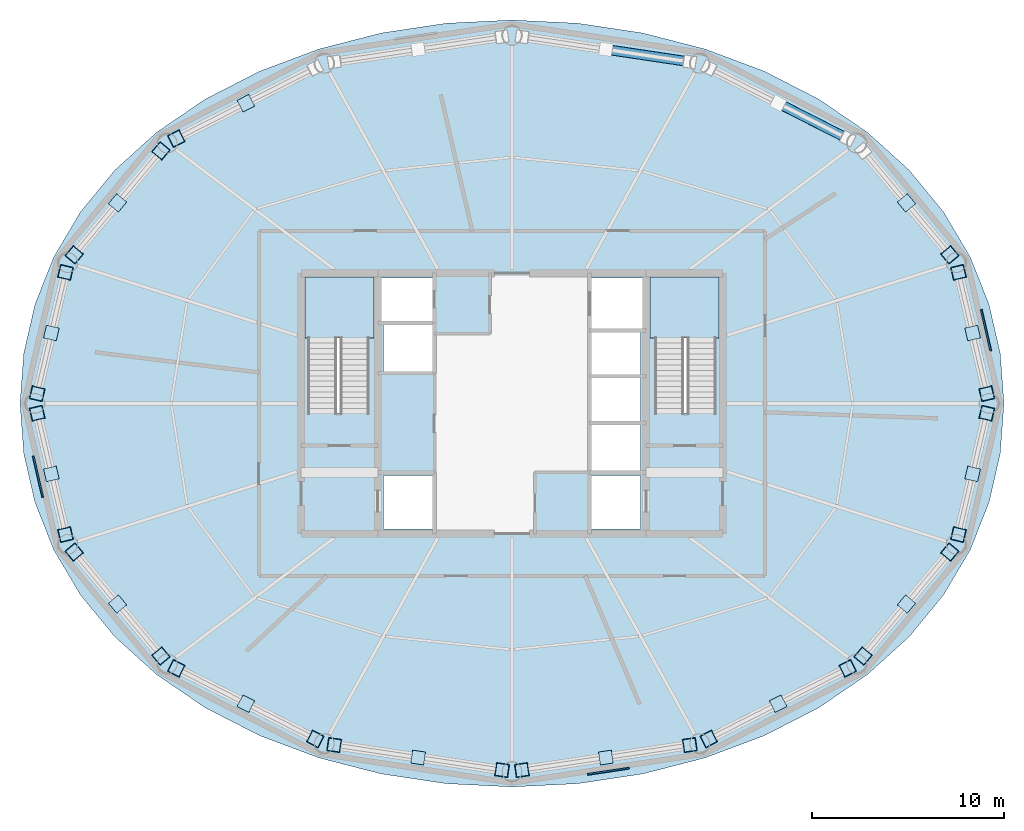
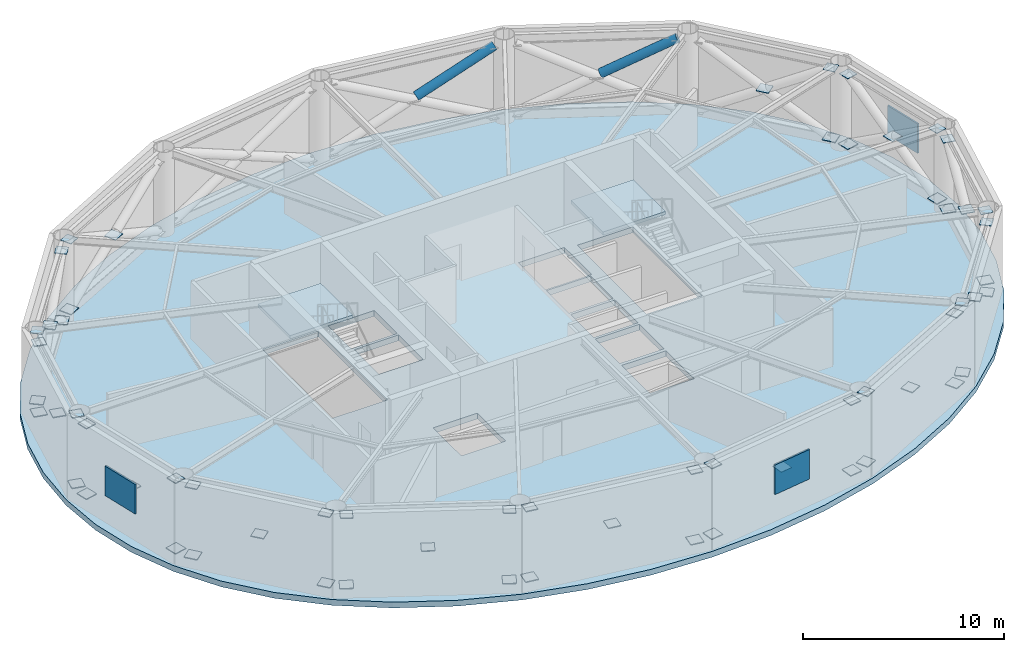
# One storey, part 3 of 7: 64 plates, 3 slabs, 2 members, 2 elements without a shape of their own.
"""IFC4 building model written with IfcOpenShell, lengths in metres."""

import ifcopenshell
import ifcopenshell.guid

model = None  # the IFC model being written
_history = None  # IfcOwnerHistory: only IFC2X3 demands one
_inside = {}  # id of a spatial element -> (the spatial element, [elements in it])
_under = {}  # id of a project, library or spatial element -> (it, [spatial elements below it])
_declared = {}  # id of a project -> (the project, [libraries it declares])
_typed = {}  # id of a type object -> (the type object, [elements of that type])
_made_of = {}  # id of a material, layer set ... -> (it, [elements and type objects made of it])


def new_model(schema):
    """Start an empty IFC model of exactly this schema.

    Asked for "IFC4X3", IfcOpenShell would pick the latest addendum, in which some entities
    have other attributes; the version numbers below select the first issue.
    IFC2X3 requires an IfcOwnerHistory on every rooted entity: one is made here for all.
    """
    global model, _history
    if schema == "IFC4X3":
        model = ifcopenshell.file(schema_version=(4, 3, 0, 0))
    else:
        model = ifcopenshell.file(schema=schema)
    _inside.clear()
    _under.clear()
    _declared.clear()
    _typed.clear()
    _made_of.clear()
    _history = None
    if model.schema == "IFC2X3":
        org = make("IfcOrganization", Name="unknown")
        user = make(
            "IfcPersonAndOrganization",
            ThePerson=make("IfcPerson", FamilyName="unknown"),
            TheOrganization=org,
        )
        app = make(
            "IfcApplication",
            ApplicationDeveloper=org,
            Version="unknown",
            ApplicationFullName="unknown",
            ApplicationIdentifier="unknown",
        )
        _history = make(
            "IfcOwnerHistory",
            OwningUser=user,
            OwningApplication=app,
            ChangeAction="ADDED",
            CreationDate=0,
        )
    return model


def make(cls, **values):
    """One entity of the class cls with the attributes given. An attribute that is None is left unset."""
    return model.create_entity(
        cls, **{name: value for name, value in values.items() if value is not None}
    )


def rooted(cls, **values):
    """An entity with a GlobalId (a new one), such as an element, a storey or a relation."""
    return make(cls, GlobalId=ifcopenshell.guid.new(), OwnerHistory=_history, **values)


def si_unit(unit_type, name, prefix=None):
    """IfcSIUnit, for example si_unit("LENGTHUNIT", "METRE", prefix="MILLI")."""
    return make("IfcSIUnit", UnitType=unit_type, Prefix=prefix, Name=name)


def assignment(units):
    """IfcUnitAssignment: the units of a project."""
    return None if units is None else make("IfcUnitAssignment", Units=units)


def point(xyz):
    """IfcCartesianPoint."""
    return None if xyz is None else make("IfcCartesianPoint", Coordinates=xyz)


def direction(xyz):
    """IfcDirection."""
    return None if xyz is None else make("IfcDirection", DirectionRatios=xyz)


def frame(location, z_axis=None, x_axis=None):
    """IfcAxis2Placement3D, a coordinate frame: its origin and axes. An axis left out is left unset."""
    return make(
        "IfcAxis2Placement3D",
        Location=point(location),
        Axis=direction(z_axis),
        RefDirection=direction(x_axis),
    )


def frame_2d(location, x_axis=None):
    """IfcAxis2Placement2D, a coordinate frame in the plane: its origin and x axis."""
    return make(
        "IfcAxis2Placement2D", Location=point(location), RefDirection=direction(x_axis)
    )


def origin():
    """The frame at (0, 0, 0) with its axes left unset."""
    return frame((0.0, 0.0, 0.0))


def origin_2d():
    """The frame at (0, 0) in the plane with its x axis left unset."""
    return frame_2d((0.0, 0.0))


def place(relative_to, where):
    """IfcLocalPlacement: puts the frame where relative to a parent placement (None: the world)."""
    return make(
        "IfcLocalPlacement", PlacementRelTo=relative_to, RelativePlacement=where
    )


def context(
    kind, dimensions, precision=None, world=None, true_north=None, identifier=None
):
    """IfcGeometricRepresentationContext, for example the 3D "Model" context."""
    return make(
        "IfcGeometricRepresentationContext",
        ContextIdentifier=identifier,
        ContextType=kind,
        CoordinateSpaceDimension=dimensions,
        Precision=precision,
        WorldCoordinateSystem=world,
        TrueNorth=true_north,
    )


def subcontext(parent, identifier, kind, view, scale=None):
    """IfcGeometricRepresentationSubContext, for example "Body" below "Model"."""
    return make(
        "IfcGeometricRepresentationSubContext",
        ContextIdentifier=identifier,
        ContextType=kind,
        ParentContext=parent,
        TargetScale=scale,
        TargetView=view,
    )


def project(units=None, contexts=None):
    """IfcProject with its units and contexts."""
    return rooted(
        "IfcProject",
        Name="project",
        RepresentationContexts=contexts,
        UnitsInContext=assignment(units),
    )


def spatial(cls, under=None, at=None, **own):
    """A site, building, storey or space (cls), placed at a placement, below another one or the project."""
    s = rooted(cls, ObjectPlacement=at, **own)
    if under is not None:
        _under.setdefault(under.id(), (under, []))[1].append(s)
    return s


def polyline(points):
    """IfcPolyline through the points."""
    return make("IfcPolyline", Points=[point(p) for p in points])


def profile(cls, at=None, kind="AREA", **sizes):
    """A parametric profile (cls). Its sizes go by their IFC names, for example OverallWidth=200.0."""
    return make(cls, ProfileType=kind, Position=at, **sizes)


def rectangle(**sizes):
    """IfcRectangleProfileDef."""
    return profile("IfcRectangleProfileDef", **sizes)


def hollow_circle(**sizes):
    """IfcCircleHollowProfileDef."""
    return profile("IfcCircleHollowProfileDef", **sizes)


def outline(outer, holes=None, kind="AREA"):
    """IfcArbitraryClosedProfileDef: a profile drawn as a closed curve; with holes, ...WithVoids."""
    if holes is None:
        return make("IfcArbitraryClosedProfileDef", ProfileType=kind, OuterCurve=outer)
    return make(
        "IfcArbitraryProfileDefWithVoids",
        ProfileType=kind,
        OuterCurve=outer,
        InnerCurves=holes,
    )


def extrude(swept, where, along, depth):
    """IfcExtrudedAreaSolid: the profile swept, set in the frame where, extruded along a direction by depth."""
    return make(
        "IfcExtrudedAreaSolid",
        SweptArea=swept,
        Position=where,
        ExtrudedDirection=direction(along),
        Depth=depth,
    )


def shape(context_of_items, identifier, shape_type, items):
    """IfcShapeRepresentation: the items that make up one representation, for example the "Body"."""
    return make(
        "IfcShapeRepresentation",
        ContextOfItems=context_of_items,
        RepresentationIdentifier=identifier,
        RepresentationType=shape_type,
        Items=items,
    )


def material(Name=None, Category=None):
    """IfcMaterial."""
    return make("IfcMaterial", Name=Name, Category=Category)


def layer(
    of_material, thickness, ventilated=None, Name=None, Category=None, Priority=None
):
    """IfcMaterialLayer: one layer of a wall or slab, of a material (None: an air gap)."""
    return make(
        "IfcMaterialLayer",
        Material=of_material,
        LayerThickness=thickness,
        IsVentilated=ventilated,
        Name=Name,
        Category=Category,
        Priority=Priority,
    )


def layer_set(layers, Name=None):
    """IfcMaterialLayerSet."""
    return make("IfcMaterialLayerSet", MaterialLayers=layers, LayerSetName=Name)


def material_profile(
    of_material, cross_section, Name=None, Category=None, Priority=None
):
    """IfcMaterialProfile: a cross section and its material."""
    return make(
        "IfcMaterialProfile",
        Name=Name,
        Material=of_material,
        Profile=cross_section,
        Priority=Priority,
        Category=Category,
    )


def profile_set(profiles, Name=None, composite=None):
    """IfcMaterialProfileSet."""
    return make(
        "IfcMaterialProfileSet",
        Name=Name,
        MaterialProfiles=profiles,
        CompositeProfile=composite,
    )


def made_of(thing, what):
    """Note that an element or type object is made of a material, layer set ...; save() writes the relation."""
    if what is not None:
        _made_of.setdefault(what.id(), (what, []))[1].append(thing)
    return thing


def type_object(cls, material=None, **own):
    """A type object (cls), such as IfcWallType, which elements share."""
    return made_of(rooted(cls, **own), material)


def element(
    cls,
    number,
    at=None,
    inside=None,
    cuts=None,
    type_object=None,
    material=None,
    context=None,
    identifier="Body",
    shape_type=None,
    held_by="IfcProductDefinitionShape",
    body=None,
    shapes=None,
    **own,
):
    """One element of the class cls, such as IfcWall. Its Tag is "e" and its number.

    at: its placement. inside: the storey or other place that contains it. cuts: it is an
    opening in that element (IfcRelVoidsElement). A single representation is given by context,
    identifier, shape_type and body (its items); several are given by shapes. held_by: the class
    of the entity that holds the representations. save() writes the other relations.
    """
    e = rooted(cls, Tag="e%d" % number, ObjectPlacement=at, **own)
    if body is not None:
        shapes = [shape(context, identifier, shape_type, body)]
    if shapes is not None:
        e.Representation = make(held_by, Representations=shapes)
    if inside is not None:
        _inside.setdefault(inside.id(), (inside, []))[1].append(e)
    if cuts is not None:
        rooted(
            "IfcRelVoidsElement", RelatingBuildingElement=cuts, RelatedOpeningElement=e
        )
    if type_object is not None:
        _typed.setdefault(type_object.id(), (type_object, []))[1].append(e)
    return made_of(e, material)


def aggregate(whole, parts):
    """IfcRelAggregates: a whole, such as a stair, and the parts it consists of."""
    return rooted("IfcRelAggregates", RelatingObject=whole, RelatedObjects=parts)


def save(model, path):
    """Write the relations noted so far, then the file.

    IfcRelAggregates (storeys below a building ...), IfcRelContainedInSpatialStructure (elements
    in a storey), IfcRelDefinesByType, IfcRelAssociatesMaterial and IfcRelDeclares: one each for
    every whole, place, type object, material and project.
    """
    for whole, parts in _under.values():
        aggregate(whole, parts)
    for where, things in _inside.values():
        rooted(
            "IfcRelContainedInSpatialStructure",
            RelatedElements=things,
            RelatingStructure=where,
        )
    for kind, things in _typed.values():
        rooted("IfcRelDefinesByType", RelatedObjects=things, RelatingType=kind)
    for what, things in _made_of.values():
        rooted("IfcRelAssociatesMaterial", RelatedObjects=things, RelatingMaterial=what)
    for by, libraries in _declared.values():
        rooted("IfcRelDeclares", RelatingContext=by, RelatedDefinitions=libraries)
    model.write(path)


model = new_model("IFC4")

# Units and contexts
model_context = context("Model", 3, precision=1e-05, world=origin(), true_north=direction((0.0, 1.0)))
body_context = subcontext(model_context, "Body", "Model", "MODEL_VIEW")
ifc_project = project(units=[si_unit("LENGTHUNIT", "METRE"), si_unit("AREAUNIT", "SQUARE_METRE"), si_unit("VOLUMEUNIT", "CUBIC_METRE"), si_unit("PLANEANGLEUNIT", "RADIAN"), si_unit("MASSUNIT", "GRAM", prefix="KILO")], contexts=[model_context])

# Site, building, storey
site_placement = place(None, origin())
site = spatial("IfcSite", under=ifc_project, at=site_placement, CompositionType="ELEMENT")
building_placement = place(site_placement, origin())
building = spatial("IfcBuilding", under=site, at=building_placement, Name="Sarneth Arch Tower", CompositionType="ELEMENT")
storey_placement = place(building_placement, frame((0.0, 0.0, 256.800048828125)))
storey = spatial("IfcBuildingStorey", under=building, at=storey_placement, Name="L66", CompositionType="ELEMENT", Elevation=256.800048828125)

# Members
ifc_material_1 = material(Name="Steel S355", Category="steel")
ifc_material_profile = material_profile(ifc_material_1, hollow_circle(Radius=0.25390625, WallThickness=0.01611328125, at=origin_2d()), Name="CHS508x16")
ifc_profile_set = profile_set([ifc_material_profile], Name="Steel S355")
member_type = type_object("IfcMemberType", Name="MEM-BELT-DIAG2", PredefinedType="BRACE", material=ifc_profile_set)
member_1_placement = place(storey_placement, frame((62.080322265625, 57.55712890625, 2.596435546875), z_axis=(0.789558727326, -0.401501046923, 0.46410551109), x_axis=(0.453274042271, 0.891371214816, 0.0)))
element("IfcMember", 1, at=member_1_placement, inside=storey, type_object=member_type, Name="L66 Ring belt split diagonal B2-03", PredefinedType="BRACE", context=body_context, shape_type="SweptSolid", body=[
    extrude(hollow_circle(Radius=0.25390625, WallThickness=0.01611328125, at=origin_2d()), origin(), (0.0, 0.0, 1.0), 4.34033203125),
])
member_2_placement = place(storey_placement, frame((53.1181640625, 60.43603515625, 2.5888671875), z_axis=(0.891118872126, -0.133049725794, 0.433825916938), x_axis=(0.147669491046, 0.98903676444, 0.0)))
element("IfcMember", 2, at=member_2_placement, inside=storey, type_object=member_type, Name="L66 Ring belt split diagonal B2-04", PredefinedType="BRACE", context=body_context, shape_type="SweptSolid", body=[
    extrude(hollow_circle(Radius=0.25390625, WallThickness=0.01611328125, at=origin_2d()), origin(), (0.0, 0.0, 1.0), 4.660888671875),
])

# Plates
ifc_material_2 = material(Name="Powder-coated Aluminium 6063-T6 stormproof acoustic louvre", Category="aluminium")
ifc_layer_1 = layer(ifc_material_2, 0.094970703125)
ifc_layer_set_1 = layer_set([ifc_layer_1], Name="Powder-coated Aluminium 6063-T6 stormproof acoustic louvre")
plate_type_1 = type_object("IfcPlateType", Name="LOUVRE-PLANT", PredefinedType="SHEET", material=ifc_layer_set_1)
for number, where, z_axis, x_axis, name in (
    (3, (72.716552734375, 45.818603515625, 1.68505859375), (0.0, 0.0, 1.0), (-0.2256312381, 0.974212781888, 0.0), "L66 Mechanical louvre 01"),
    (4, (23.283447265625, 38.181396484375, 1.68505859375), (0.0, 0.0, 1.0), (0.2256312381, -0.974212781888, 0.0), "L66 Mechanical louvre 09"),
    (5, (53.028564453125, 22.824462890625, 1.68505859375), (0.0, 0.0, 1.0), (0.988886498745, 0.148672433897, 0.0), "L66 Mechanical louvre 13"),
):
    element("IfcPlate", number, at=place(storey_placement, frame(where, z_axis=z_axis, x_axis=x_axis)), inside=storey, type_object=plate_type_1, Name=name, PredefinedType="SHEET", context=body_context, shape_type="SweptSolid", body=[
        extrude(rectangle(XDim=2.199951171875, YDim=0.094970703125, at=origin_2d()), origin(), (0.0, 0.0, 1.0), 1.800048828125),
    ])
ifc_material_3 = material(Name="Steel S355", Category="steel")
ifc_layer_2 = layer(ifc_material_3, 0.035888671875)
ifc_layer_set_2 = layer_set([ifc_layer_2], Name="Steel S355")
plate_type_2 = type_object("IfcPlateType", Name="PLT-GUSSET-30", PredefinedType="SHEET", material=ifc_layer_set_2)
plate_1_placement = place(storey_placement, frame((72.026123046875, 45.673828125, 2.46240234375), z_axis=(0.0, 0.0, 1.0), x_axis=(-0.227161248969, 0.973857159427, 0.0)))
element("IfcPlate", 6, at=plate_1_placement, inside=storey, type_object=plate_type_2, Name="Steel end cap plate GP-1", PredefinedType="SHEET", context=body_context, shape_type="SweptSolid", body=[
    extrude(rectangle(XDim=0.679931640625, YDim=0.679931640625, at=origin_2d()), origin(), (0.0, 0.0, 1.0), 0.035888671875),
])
for number, where, z_axis, x_axis, name in (
    (7, (72.763916015625, 42.51123046875, 0.33203125), (0.0, 0.0, 1.0), (0.227161248969, -0.973857159427, 0.0), "Steel end cap plate GP-1"),
    (8, (71.2880859375, 48.836181640625, 0.33203125), (0.0, 0.0, 1.0), (-0.227161248969, 0.973857159427, 0.0), "Steel end cap plate GP-1"),
):
    element("IfcPlate", number, at=place(storey_placement, frame(where, z_axis=z_axis, x_axis=x_axis)), inside=storey, type_object=plate_type_2, Name=name, PredefinedType="SHEET", context=body_context, shape_type="SweptSolid", body=[
        extrude(rectangle(XDim=0.699951171875, YDim=0.699951171875, at=origin_2d()), origin(), (0.0, 0.0, 1.0), 0.035888671875),
    ])
for number, where, z_axis, x_axis, name in (
    (9, (72.763916015625, 42.51123046875, 4.5927734375), (0.0, 0.0, 1.0), (0.227161248969, -0.973857159427, 0.0), "Steel end cap plate GP-1"),
    (10, (71.2880859375, 48.836181640625, 4.5927734375), (0.0, 0.0, 1.0), (-0.227161248969, 0.973857159427, 0.0), "Steel end cap plate GP-1"),
):
    element("IfcPlate", number, at=place(storey_placement, frame(where, z_axis=z_axis, x_axis=x_axis)), inside=storey, type_object=plate_type_2, Name=name, PredefinedType="SHEET", context=body_context, shape_type="SweptSolid", body=[
        extrude(rectangle(XDim=0.6298828125, YDim=0.6298828125, at=origin_2d()), origin(), (0.0, 0.0, 1.0), 0.035888671875),
    ])
plate_2_placement = place(storey_placement, frame((68.572021484375, 52.4619140625, 2.46240234375), z_axis=(0.0, 0.0, 1.0), x_axis=(-0.640377842023, 0.768060036355, 0.0)))
element("IfcPlate", 11, at=plate_2_placement, inside=storey, type_object=plate_type_2, Name="Steel end cap plate GP-1", PredefinedType="SHEET", context=body_context, shape_type="SweptSolid", body=[
    extrude(rectangle(XDim=0.679931640625, YDim=0.679931640625, at=origin_2d()), origin(), (0.0, 0.0, 1.0), 0.035888671875),
])
plate_3_placement = place(storey_placement, frame((70.83251953125, 49.750732421875, 0.33203125), z_axis=(0.0, 0.0, 1.0), x_axis=(0.640377842023, -0.768060036355, 0.0)))
element("IfcPlate", 12, at=plate_3_placement, inside=storey, type_object=plate_type_2, Name="Steel end cap plate GP-1", PredefinedType="SHEET", context=body_context, shape_type="SweptSolid", body=[
    extrude(rectangle(XDim=0.699951171875, YDim=0.699951171875, at=origin_2d()), origin(), (0.0, 0.0, 1.0), 0.035888671875),
])
plate_4_placement = place(storey_placement, frame((70.83251953125, 49.750732421875, 4.5927734375), z_axis=(0.0, 0.0, 1.0), x_axis=(0.640377842023, -0.768060036355, 0.0)))
element("IfcPlate", 13, at=plate_4_placement, inside=storey, type_object=plate_type_2, Name="Steel end cap plate GP-1", PredefinedType="SHEET", context=body_context, shape_type="SweptSolid", body=[
    extrude(rectangle(XDim=0.6298828125, YDim=0.6298828125, at=origin_2d()), origin(), (0.0, 0.0, 1.0), 0.035888671875),
])
plate_5_placement = place(storey_placement, frame((34.116943359375, 57.657470703125, 2.46240234375), z_axis=(0.0, 0.0, 1.0), x_axis=(-0.891402366318, -0.453212777096, 0.0)))
element("IfcPlate", 14, at=plate_5_placement, inside=storey, type_object=plate_type_2, Name="Steel end cap plate GP-1", PredefinedType="SHEET", context=body_context, shape_type="SweptSolid", body=[
    extrude(rectangle(XDim=0.679931640625, YDim=0.679931640625, at=origin_2d()), origin(), (0.0, 0.0, 1.0), 0.035888671875),
])
plate_6_placement = place(storey_placement, frame((30.49267578125, 55.814453125, 0.33203125), z_axis=(0.0, 0.0, 1.0), x_axis=(-0.891402366318, -0.453212777096, 0.0)))
element("IfcPlate", 15, at=plate_6_placement, inside=storey, type_object=plate_type_2, Name="Steel end cap plate GP-1", PredefinedType="SHEET", context=body_context, shape_type="SweptSolid", body=[
    extrude(rectangle(XDim=0.699951171875, YDim=0.699951171875, at=origin_2d()), origin(), (0.0, 0.0, 1.0), 0.035888671875),
])
plate_7_placement = place(storey_placement, frame((30.49267578125, 55.814453125, 4.5927734375), z_axis=(0.0, 0.0, 1.0), x_axis=(-0.891402366318, -0.453212777096, 0.0)))
element("IfcPlate", 16, at=plate_7_placement, inside=storey, type_object=plate_type_2, Name="Steel end cap plate GP-1", PredefinedType="SHEET", context=body_context, shape_type="SweptSolid", body=[
    extrude(rectangle(XDim=0.6298828125, YDim=0.6298828125, at=origin_2d()), origin(), (0.0, 0.0, 1.0), 0.035888671875),
])
plate_8_placement = place(storey_placement, frame((27.427978515625, 52.4619140625, 2.46240234375), z_axis=(0.0, 0.0, 1.0), x_axis=(-0.640377842023, -0.768060036355, 0.0)))
element("IfcPlate", 17, at=plate_8_placement, inside=storey, type_object=plate_type_2, Name="Steel end cap plate GP-1", PredefinedType="SHEET", context=body_context, shape_type="SweptSolid", body=[
    extrude(rectangle(XDim=0.679931640625, YDim=0.679931640625, at=origin_2d()), origin(), (0.0, 0.0, 1.0), 0.035888671875),
])
for number, where, z_axis, x_axis, name in (
    (18, (29.6884765625, 55.17333984375, 0.33203125), (0.0, 0.0, 1.0), (0.640377842023, 0.768060036355, 0.0), "Steel end cap plate GP-1"),
    (19, (25.16748046875, 49.750732421875, 0.33203125), (0.0, 0.0, 1.0), (-0.640377842023, -0.768060036355, 0.0), "Steel end cap plate GP-1"),
):
    element("IfcPlate", number, at=place(storey_placement, frame(where, z_axis=z_axis, x_axis=x_axis)), inside=storey, type_object=plate_type_2, Name=name, PredefinedType="SHEET", context=body_context, shape_type="SweptSolid", body=[
        extrude(rectangle(XDim=0.699951171875, YDim=0.699951171875, at=origin_2d()), origin(), (0.0, 0.0, 1.0), 0.035888671875),
    ])
for number, where, z_axis, x_axis, name in (
    (20, (29.6884765625, 55.17333984375, 4.5927734375), (0.0, 0.0, 1.0), (0.640377842023, 0.768060036355, 0.0), "Steel end cap plate GP-1"),
    (21, (25.16748046875, 49.750732421875, 4.5927734375), (0.0, 0.0, 1.0), (-0.640377842023, -0.768060036355, 0.0), "Steel end cap plate GP-1"),
):
    element("IfcPlate", number, at=place(storey_placement, frame(where, z_axis=z_axis, x_axis=x_axis)), inside=storey, type_object=plate_type_2, Name=name, PredefinedType="SHEET", context=body_context, shape_type="SweptSolid", body=[
        extrude(rectangle(XDim=0.6298828125, YDim=0.6298828125, at=origin_2d()), origin(), (0.0, 0.0, 1.0), 0.035888671875),
    ])
plate_9_placement = place(storey_placement, frame((23.973876953125, 45.673828125, 2.46240234375), z_axis=(0.0, 0.0, 1.0), x_axis=(-0.227161248969, -0.973857159427, 0.0)))
element("IfcPlate", 22, at=plate_9_placement, inside=storey, type_object=plate_type_2, Name="Steel end cap plate GP-1", PredefinedType="SHEET", context=body_context, shape_type="SweptSolid", body=[
    extrude(rectangle(XDim=0.679931640625, YDim=0.679931640625, at=origin_2d()), origin(), (0.0, 0.0, 1.0), 0.035888671875),
])
for number, where, z_axis, x_axis, name in (
    (23, (24.7119140625, 48.836181640625, 0.33203125), (0.0, 0.0, 1.0), (0.227161248969, 0.973857159427, 0.0), "Steel end cap plate GP-1"),
    (24, (23.236083984375, 42.51123046875, 0.33203125), (0.0, 0.0, 1.0), (-0.227161248969, -0.973857159427, 0.0), "Steel end cap plate GP-1"),
):
    element("IfcPlate", number, at=place(storey_placement, frame(where, z_axis=z_axis, x_axis=x_axis)), inside=storey, type_object=plate_type_2, Name=name, PredefinedType="SHEET", context=body_context, shape_type="SweptSolid", body=[
        extrude(rectangle(XDim=0.699951171875, YDim=0.699951171875, at=origin_2d()), origin(), (0.0, 0.0, 1.0), 0.035888671875),
    ])
for number, where, z_axis, x_axis, name in (
    (25, (24.7119140625, 48.836181640625, 4.5927734375), (0.0, 0.0, 1.0), (0.227161248969, 0.973857159427, 0.0), "Steel end cap plate GP-1"),
    (26, (23.236083984375, 42.51123046875, 4.5927734375), (0.0, 0.0, 1.0), (-0.227161248969, -0.973857159427, 0.0), "Steel end cap plate GP-1"),
):
    element("IfcPlate", number, at=place(storey_placement, frame(where, z_axis=z_axis, x_axis=x_axis)), inside=storey, type_object=plate_type_2, Name=name, PredefinedType="SHEET", context=body_context, shape_type="SweptSolid", body=[
        extrude(rectangle(XDim=0.6298828125, YDim=0.6298828125, at=origin_2d()), origin(), (0.0, 0.0, 1.0), 0.035888671875),
    ])
plate_10_placement = place(storey_placement, frame((23.973876953125, 38.326171875, 2.46240234375), z_axis=(0.0, 0.0, 1.0), x_axis=(0.227161248969, -0.973857159427, 0.0)))
element("IfcPlate", 27, at=plate_10_placement, inside=storey, type_object=plate_type_2, Name="Steel end cap plate GP-1", PredefinedType="SHEET", context=body_context, shape_type="SweptSolid", body=[
    extrude(rectangle(XDim=0.679931640625, YDim=0.679931640625, at=origin_2d()), origin(), (0.0, 0.0, 1.0), 0.035888671875),
])
for number, where, z_axis, x_axis, name in (
    (28, (23.236083984375, 41.48876953125, 0.33203125), (0.0, 0.0, 1.0), (-0.227161248969, 0.973857159427, 0.0), "Steel end cap plate GP-1"),
    (29, (24.7119140625, 35.163818359375, 0.33203125), (0.0, 0.0, 1.0), (0.227161248969, -0.973857159427, 0.0), "Steel end cap plate GP-1"),
):
    element("IfcPlate", number, at=place(storey_placement, frame(where, z_axis=z_axis, x_axis=x_axis)), inside=storey, type_object=plate_type_2, Name=name, PredefinedType="SHEET", context=body_context, shape_type="SweptSolid", body=[
        extrude(rectangle(XDim=0.699951171875, YDim=0.699951171875, at=origin_2d()), origin(), (0.0, 0.0, 1.0), 0.035888671875),
    ])
for number, where, z_axis, x_axis, name in (
    (30, (23.236083984375, 41.48876953125, 4.5927734375), (0.0, 0.0, 1.0), (-0.227161248969, 0.973857159427, 0.0), "Steel end cap plate GP-1"),
    (31, (24.7119140625, 35.163818359375, 4.5927734375), (0.0, 0.0, 1.0), (0.227161248969, -0.973857159427, 0.0), "Steel end cap plate GP-1"),
):
    element("IfcPlate", number, at=place(storey_placement, frame(where, z_axis=z_axis, x_axis=x_axis)), inside=storey, type_object=plate_type_2, Name=name, PredefinedType="SHEET", context=body_context, shape_type="SweptSolid", body=[
        extrude(rectangle(XDim=0.6298828125, YDim=0.6298828125, at=origin_2d()), origin(), (0.0, 0.0, 1.0), 0.035888671875),
    ])
plate_11_placement = place(storey_placement, frame((27.427978515625, 31.5380859375, 2.46240234375), z_axis=(0.0, 0.0, 1.0), x_axis=(0.640377842023, -0.768060036355, 0.0)))
element("IfcPlate", 32, at=plate_11_placement, inside=storey, type_object=plate_type_2, Name="Steel end cap plate GP-1", PredefinedType="SHEET", context=body_context, shape_type="SweptSolid", body=[
    extrude(rectangle(XDim=0.679931640625, YDim=0.679931640625, at=origin_2d()), origin(), (0.0, 0.0, 1.0), 0.035888671875),
])
for number, where, z_axis, x_axis, name in (
    (33, (25.16748046875, 34.249267578125, 0.33203125), (0.0, 0.0, 1.0), (-0.640377842023, 0.768060036355, 0.0), "Steel end cap plate GP-1"),
    (34, (29.6884765625, 28.82666015625, 0.33203125), (0.0, 0.0, 1.0), (0.640377842023, -0.768060036355, 0.0), "Steel end cap plate GP-1"),
):
    element("IfcPlate", number, at=place(storey_placement, frame(where, z_axis=z_axis, x_axis=x_axis)), inside=storey, type_object=plate_type_2, Name=name, PredefinedType="SHEET", context=body_context, shape_type="SweptSolid", body=[
        extrude(rectangle(XDim=0.699951171875, YDim=0.699951171875, at=origin_2d()), origin(), (0.0, 0.0, 1.0), 0.035888671875),
    ])
for number, where, z_axis, x_axis, name in (
    (35, (25.16748046875, 34.249267578125, 4.5927734375), (0.0, 0.0, 1.0), (-0.640377842023, 0.768060036355, 0.0), "Steel end cap plate GP-1"),
    (36, (29.6884765625, 28.82666015625, 4.5927734375), (0.0, 0.0, 1.0), (0.640377842023, -0.768060036355, 0.0), "Steel end cap plate GP-1"),
):
    element("IfcPlate", number, at=place(storey_placement, frame(where, z_axis=z_axis, x_axis=x_axis)), inside=storey, type_object=plate_type_2, Name=name, PredefinedType="SHEET", context=body_context, shape_type="SweptSolid", body=[
        extrude(rectangle(XDim=0.6298828125, YDim=0.6298828125, at=origin_2d()), origin(), (0.0, 0.0, 1.0), 0.035888671875),
    ])
plate_12_placement = place(storey_placement, frame((34.116943359375, 26.342529296875, 2.46240234375), z_axis=(0.0, 0.0, 1.0), x_axis=(0.891402366318, -0.453212777096, 0.0)))
element("IfcPlate", 37, at=plate_12_placement, inside=storey, type_object=plate_type_2, Name="Steel end cap plate GP-1", PredefinedType="SHEET", context=body_context, shape_type="SweptSolid", body=[
    extrude(rectangle(XDim=0.679931640625, YDim=0.679931640625, at=origin_2d()), origin(), (0.0, 0.0, 1.0), 0.035888671875),
])
for number, where, z_axis, x_axis, name in (
    (38, (30.49267578125, 28.185546875, 0.33203125), (0.0, 0.0, 1.0), (-0.891402366318, 0.453212777096, 0.0), "Steel end cap plate GP-1"),
    (39, (37.7412109375, 24.49951171875, 0.33203125), (0.0, 0.0, 1.0), (0.891402366318, -0.453212777096, 0.0), "Steel end cap plate GP-1"),
):
    element("IfcPlate", number, at=place(storey_placement, frame(where, z_axis=z_axis, x_axis=x_axis)), inside=storey, type_object=plate_type_2, Name=name, PredefinedType="SHEET", context=body_context, shape_type="SweptSolid", body=[
        extrude(rectangle(XDim=0.699951171875, YDim=0.699951171875, at=origin_2d()), origin(), (0.0, 0.0, 1.0), 0.035888671875),
    ])
for number, where, z_axis, x_axis, name in (
    (40, (30.49267578125, 28.185546875, 4.5927734375), (0.0, 0.0, 1.0), (-0.891402366318, 0.453212777096, 0.0), "Steel end cap plate GP-1"),
    (41, (37.7412109375, 24.49951171875, 4.5927734375), (0.0, 0.0, 1.0), (0.891402366318, -0.453212777096, 0.0), "Steel end cap plate GP-1"),
):
    element("IfcPlate", number, at=place(storey_placement, frame(where, z_axis=z_axis, x_axis=x_axis)), inside=storey, type_object=plate_type_2, Name=name, PredefinedType="SHEET", context=body_context, shape_type="SweptSolid", body=[
        extrude(rectangle(XDim=0.6298828125, YDim=0.6298828125, at=origin_2d()), origin(), (0.0, 0.0, 1.0), 0.035888671875),
    ])
plate_13_placement = place(storey_placement, frame((43.1044921875, 23.53076171875, 2.46240234375), z_axis=(0.0, 0.0, 1.0), x_axis=(0.989041645907, -0.147636793048, 0.0)))
element("IfcPlate", 42, at=plate_13_placement, inside=storey, type_object=plate_type_2, Name="Steel end cap plate GP-1", PredefinedType="SHEET", context=body_context, shape_type="SweptSolid", body=[
    extrude(rectangle(XDim=0.679931640625, YDim=0.679931640625, at=origin_2d()), origin(), (0.0, 0.0, 1.0), 0.035888671875),
])
for number, where, z_axis, x_axis, name in (
    (43, (38.728515625, 24.18408203125, 0.33203125), (0.0, 0.0, 1.0), (-0.989041645907, 0.147636793048, 0.0), "Steel end cap plate GP-1"),
    (44, (47.480712890625, 22.87744140625, 0.33203125), (0.0, 0.0, 1.0), (0.989041645907, -0.147636793048, 0.0), "Steel end cap plate GP-1"),
):
    element("IfcPlate", number, at=place(storey_placement, frame(where, z_axis=z_axis, x_axis=x_axis)), inside=storey, type_object=plate_type_2, Name=name, PredefinedType="SHEET", context=body_context, shape_type="SweptSolid", body=[
        extrude(rectangle(XDim=0.699951171875, YDim=0.699951171875, at=origin_2d()), origin(), (0.0, 0.0, 1.0), 0.035888671875),
    ])
for number, where, z_axis, x_axis, name in (
    (45, (38.728515625, 24.18408203125, 4.5927734375), (0.0, 0.0, 1.0), (-0.989041645907, 0.147636793048, 0.0), "Steel end cap plate GP-1"),
    (46, (47.480712890625, 22.87744140625, 4.5927734375), (0.0, 0.0, 1.0), (0.989041645907, -0.147636793048, 0.0), "Steel end cap plate GP-1"),
):
    element("IfcPlate", number, at=place(storey_placement, frame(where, z_axis=z_axis, x_axis=x_axis)), inside=storey, type_object=plate_type_2, Name=name, PredefinedType="SHEET", context=body_context, shape_type="SweptSolid", body=[
        extrude(rectangle(XDim=0.6298828125, YDim=0.6298828125, at=origin_2d()), origin(), (0.0, 0.0, 1.0), 0.035888671875),
    ])
plate_14_placement = place(storey_placement, frame((52.8955078125, 23.53076171875, 2.46240234375), z_axis=(0.0, 0.0, 1.0), x_axis=(0.989041645907, 0.147636793048, 0.0)))
element("IfcPlate", 47, at=plate_14_placement, inside=storey, type_object=plate_type_2, Name="Steel end cap plate GP-1", PredefinedType="SHEET", context=body_context, shape_type="SweptSolid", body=[
    extrude(rectangle(XDim=0.679931640625, YDim=0.679931640625, at=origin_2d()), origin(), (0.0, 0.0, 1.0), 0.035888671875),
])
for number, where, z_axis, x_axis, name in (
    (48, (48.519287109375, 22.87744140625, 0.33203125), (0.0, 0.0, 1.0), (-0.989041645907, -0.147636793048, 0.0), "Steel end cap plate GP-1"),
    (49, (57.271484375, 24.18408203125, 0.33203125), (0.0, 0.0, 1.0), (0.989041645907, 0.147636793048, 0.0), "Steel end cap plate GP-1"),
):
    element("IfcPlate", number, at=place(storey_placement, frame(where, z_axis=z_axis, x_axis=x_axis)), inside=storey, type_object=plate_type_2, Name=name, PredefinedType="SHEET", context=body_context, shape_type="SweptSolid", body=[
        extrude(rectangle(XDim=0.699951171875, YDim=0.699951171875, at=origin_2d()), origin(), (0.0, 0.0, 1.0), 0.035888671875),
    ])
for number, where, z_axis, x_axis, name in (
    (50, (48.519287109375, 22.87744140625, 4.5927734375), (0.0, 0.0, 1.0), (-0.989041645907, -0.147636793048, 0.0), "Steel end cap plate GP-1"),
    (51, (57.271484375, 24.18408203125, 4.5927734375), (0.0, 0.0, 1.0), (0.989041645907, 0.147636793048, 0.0), "Steel end cap plate GP-1"),
):
    element("IfcPlate", number, at=place(storey_placement, frame(where, z_axis=z_axis, x_axis=x_axis)), inside=storey, type_object=plate_type_2, Name=name, PredefinedType="SHEET", context=body_context, shape_type="SweptSolid", body=[
        extrude(rectangle(XDim=0.6298828125, YDim=0.6298828125, at=origin_2d()), origin(), (0.0, 0.0, 1.0), 0.035888671875),
    ])
plate_15_placement = place(storey_placement, frame((61.883056640625, 26.342529296875, 2.46240234375), z_axis=(0.0, 0.0, 1.0), x_axis=(0.891402366318, 0.453212777096, 0.0)))
element("IfcPlate", 52, at=plate_15_placement, inside=storey, type_object=plate_type_2, Name="Steel end cap plate GP-1", PredefinedType="SHEET", context=body_context, shape_type="SweptSolid", body=[
    extrude(rectangle(XDim=0.679931640625, YDim=0.679931640625, at=origin_2d()), origin(), (0.0, 0.0, 1.0), 0.035888671875),
])
for number, where, z_axis, x_axis, name in (
    (53, (58.2587890625, 24.49951171875, 0.33203125), (0.0, 0.0, 1.0), (-0.891402366318, -0.453212777096, 0.0), "Steel end cap plate GP-1"),
    (54, (65.50732421875, 28.185546875, 0.33203125), (0.0, 0.0, 1.0), (0.891402366318, 0.453212777096, 0.0), "Steel end cap plate GP-1"),
):
    element("IfcPlate", number, at=place(storey_placement, frame(where, z_axis=z_axis, x_axis=x_axis)), inside=storey, type_object=plate_type_2, Name=name, PredefinedType="SHEET", context=body_context, shape_type="SweptSolid", body=[
        extrude(rectangle(XDim=0.699951171875, YDim=0.699951171875, at=origin_2d()), origin(), (0.0, 0.0, 1.0), 0.035888671875),
    ])
for number, where, z_axis, x_axis, name in (
    (55, (58.2587890625, 24.49951171875, 4.5927734375), (0.0, 0.0, 1.0), (-0.891402366318, -0.453212777096, 0.0), "Steel end cap plate GP-1"),
    (56, (65.50732421875, 28.185546875, 4.5927734375), (0.0, 0.0, 1.0), (0.891402366318, 0.453212777096, 0.0), "Steel end cap plate GP-1"),
):
    element("IfcPlate", number, at=place(storey_placement, frame(where, z_axis=z_axis, x_axis=x_axis)), inside=storey, type_object=plate_type_2, Name=name, PredefinedType="SHEET", context=body_context, shape_type="SweptSolid", body=[
        extrude(rectangle(XDim=0.6298828125, YDim=0.6298828125, at=origin_2d()), origin(), (0.0, 0.0, 1.0), 0.035888671875),
    ])
plate_16_placement = place(storey_placement, frame((68.572021484375, 31.5380859375, 2.46240234375), z_axis=(0.0, 0.0, 1.0), x_axis=(0.640377842023, 0.768060036355, 0.0)))
element("IfcPlate", 57, at=plate_16_placement, inside=storey, type_object=plate_type_2, Name="Steel end cap plate GP-1", PredefinedType="SHEET", context=body_context, shape_type="SweptSolid", body=[
    extrude(rectangle(XDim=0.679931640625, YDim=0.679931640625, at=origin_2d()), origin(), (0.0, 0.0, 1.0), 0.035888671875),
])
for number, where, z_axis, x_axis, name in (
    (58, (66.3115234375, 28.82666015625, 0.33203125), (0.0, 0.0, 1.0), (-0.640377842023, -0.768060036355, 0.0), "Steel end cap plate GP-1"),
    (59, (70.83251953125, 34.249267578125, 0.33203125), (0.0, 0.0, 1.0), (0.640377842023, 0.768060036355, 0.0), "Steel end cap plate GP-1"),
):
    element("IfcPlate", number, at=place(storey_placement, frame(where, z_axis=z_axis, x_axis=x_axis)), inside=storey, type_object=plate_type_2, Name=name, PredefinedType="SHEET", context=body_context, shape_type="SweptSolid", body=[
        extrude(rectangle(XDim=0.699951171875, YDim=0.699951171875, at=origin_2d()), origin(), (0.0, 0.0, 1.0), 0.035888671875),
    ])
for number, where, z_axis, x_axis, name in (
    (60, (66.3115234375, 28.82666015625, 4.5927734375), (0.0, 0.0, 1.0), (-0.640377842023, -0.768060036355, 0.0), "Steel end cap plate GP-1"),
    (61, (70.83251953125, 34.249267578125, 4.5927734375), (0.0, 0.0, 1.0), (0.640377842023, 0.768060036355, 0.0), "Steel end cap plate GP-1"),
):
    element("IfcPlate", number, at=place(storey_placement, frame(where, z_axis=z_axis, x_axis=x_axis)), inside=storey, type_object=plate_type_2, Name=name, PredefinedType="SHEET", context=body_context, shape_type="SweptSolid", body=[
        extrude(rectangle(XDim=0.6298828125, YDim=0.6298828125, at=origin_2d()), origin(), (0.0, 0.0, 1.0), 0.035888671875),
    ])
plate_17_placement = place(storey_placement, frame((72.026123046875, 38.326171875, 2.46240234375), z_axis=(0.0, 0.0, 1.0), x_axis=(0.227161248969, 0.973857159427, 0.0)))
element("IfcPlate", 62, at=plate_17_placement, inside=storey, type_object=plate_type_2, Name="Steel end cap plate GP-1", PredefinedType="SHEET", context=body_context, shape_type="SweptSolid", body=[
    extrude(rectangle(XDim=0.679931640625, YDim=0.679931640625, at=origin_2d()), origin(), (0.0, 0.0, 1.0), 0.035888671875),
])
for number, where, z_axis, x_axis, name in (
    (63, (71.2880859375, 35.163818359375, 0.33203125), (0.0, 0.0, 1.0), (-0.227161248969, -0.973857159427, 0.0), "Steel end cap plate GP-1"),
    (64, (72.763916015625, 41.48876953125, 0.33203125), (0.0, 0.0, 1.0), (0.227161248969, 0.973857159427, 0.0), "Steel end cap plate GP-1"),
):
    element("IfcPlate", number, at=place(storey_placement, frame(where, z_axis=z_axis, x_axis=x_axis)), inside=storey, type_object=plate_type_2, Name=name, PredefinedType="SHEET", context=body_context, shape_type="SweptSolid", body=[
        extrude(rectangle(XDim=0.699951171875, YDim=0.699951171875, at=origin_2d()), origin(), (0.0, 0.0, 1.0), 0.035888671875),
    ])
for number, where, z_axis, x_axis, name in (
    (65, (71.2880859375, 35.163818359375, 4.5927734375), (0.0, 0.0, 1.0), (-0.227161248969, -0.973857159427, 0.0), "Steel end cap plate GP-1"),
    (66, (72.763916015625, 41.48876953125, 4.5927734375), (0.0, 0.0, 1.0), (0.227161248969, 0.973857159427, 0.0), "Steel end cap plate GP-1"),
):
    element("IfcPlate", number, at=place(storey_placement, frame(where, z_axis=z_axis, x_axis=x_axis)), inside=storey, type_object=plate_type_2, Name=name, PredefinedType="SHEET", context=body_context, shape_type="SweptSolid", body=[
        extrude(rectangle(XDim=0.6298828125, YDim=0.6298828125, at=origin_2d()), origin(), (0.0, 0.0, 1.0), 0.035888671875),
    ])

# Stair, slab
ifc_material_4 = material(Name="Concrete C50/60", Category="concrete")
stair_type = type_object("IfcStairType", Name="STAIR-CORE-RC", PredefinedType="HALF_TURN_STAIR", material=ifc_material_4)
stair_1_placement = place(storey_placement, origin())
stair_1 = element("IfcStair", 67, at=stair_1_placement, inside=storey, type_object=stair_type, Name="L66 Core Exit Stair 1", PredefinedType="HALF_TURN_STAIR")
ifc_material_5 = material(Name="Concrete C50/60", Category="concrete")
ifc_layer_3 = layer(ifc_material_5, 0.199951171875)
ifc_layer_set_3 = layer_set([ifc_layer_3], Name="Concrete C50/60")
slab_type_1 = type_object("IfcSlabType", Name="SLAB-LANDING-200", PredefinedType="LANDING", material=ifc_layer_set_3)
slab_1_placement = place(storey_placement, frame((0.0, 0.0, 2.5)))
slab_1 = element("IfcSlab", 68, at=slab_1_placement, type_object=slab_type_1, Name="ST-1 landing 1", PredefinedType="LANDING", context=body_context, shape_type="SweptSolid", body=[
    extrude(outline(polyline([(37.199951171875, 45.409912109375), (40.800048828125, 45.409912109375), (40.800048828125, 48.60009765625), (37.199951171875, 48.60009765625), (37.199951171875, 45.409912109375)])), origin(), (0.0, 0.0, 1.0), 0.199951171875),
])
aggregate(stair_1, [slab_1])

stair_2_placement = place(storey_placement, origin())
stair_2 = element("IfcStair", 69, at=stair_2_placement, inside=storey, type_object=stair_type, Name="L66 Core Exit Stair 2", PredefinedType="HALF_TURN_STAIR")
slab_2_placement = place(storey_placement, frame((0.0, 0.0, 2.5)))
slab_2 = element("IfcSlab", 70, at=slab_2_placement, type_object=slab_type_1, Name="ST-2 landing 1", PredefinedType="LANDING", context=body_context, shape_type="SweptSolid", body=[
    extrude(outline(polyline([(55.199951171875, 45.409912109375), (58.800048828125, 45.409912109375), (58.800048828125, 48.60009765625), (55.199951171875, 48.60009765625), (55.199951171875, 45.409912109375)])), origin(), (0.0, 0.0, 1.0), 0.199951171875),
])
aggregate(stair_2, [slab_2])

# Slab
ifc_material_6 = material(Name="Concrete C60/75", Category="concrete")
ifc_layer_4 = layer(ifc_material_6, 0.35009765625)
ifc_layer_set_4 = layer_set([ifc_layer_4], Name="Concrete C60/75")
slab_type_2 = type_object("IfcSlabType", Name="SLAB-XFER-350", PredefinedType="FLOOR", material=ifc_layer_set_4)
slab_3_placement = place(storey_placement, frame((0.0, 0.0, -0.35009765625)))
element("IfcSlab", 71, at=slab_3_placement, inside=storey, type_object=slab_type_2, Name="L66 Elliptical floor slab", PredefinedType="FLOOR", context=body_context, shape_type="SweptSolid", body=[
    extrude(outline(polyline([(73.660888671875, 42.0), (73.466064453125, 44.610595703125), (72.87890625, 47.17626953125), (71.892822265625, 49.653564453125), (70.5029296875, 52.0), (68.712158203125, 54.17529296875), (66.536865234375, 56.14208984375), (64.009521484375, 57.8671875), (61.177001953125, 59.320556640625), (58.0966796875, 60.4775390625), (54.83203125, 61.318603515625), (51.44580078125, 61.828857421875), (48.0, 62.0), (44.55419921875, 61.828857421875), (41.16796875, 61.318603515625), (37.9033203125, 60.4775390625), (34.822998046875, 59.320556640625), (31.990478515625, 57.8671875), (29.463134765625, 56.14208984375), (27.287841796875, 54.17529296875), (25.4970703125, 52.0), (24.107177734375, 49.653564453125), (23.12109375, 47.17626953125), (22.533935546875, 44.610595703125), (22.339111328125, 42.0), (22.533935546875, 39.389404296875), (23.12109375, 36.82373046875), (24.107177734375, 34.346435546875), (25.4970703125, 32.0), (27.287841796875, 29.82470703125), (29.463134765625, 27.85791015625), (31.990478515625, 26.1328125), (34.822998046875, 24.679443359375), (37.9033203125, 23.5224609375), (41.16796875, 22.681396484375), (44.55419921875, 22.171142578125), (48.0, 22.0), (51.44580078125, 22.171142578125), (54.83203125, 22.681396484375), (58.0966796875, 23.5224609375), (61.177001953125, 24.679443359375), (64.009521484375, 26.1328125), (66.536865234375, 27.85791015625), (68.712158203125, 29.82470703125), (70.5029296875, 32.0), (71.892822265625, 34.346435546875), (72.87890625, 36.82373046875), (73.466064453125, 39.389404296875), (73.660888671875, 42.0)]), holes=[polyline([(37.35009765625, 41.489990234375), (40.550048828125, 41.489990234375), (40.550048828125, 48.39990234375), (37.35009765625, 48.39990234375), (37.35009765625, 41.489990234375)]), polyline([(55.449951171875, 41.489990234375), (58.64990234375, 41.489990234375), (58.64990234375, 48.39990234375), (55.449951171875, 48.39990234375), (55.449951171875, 41.489990234375)]), polyline([(41.199951171875, 46.25), (43.85009765625, 46.25), (43.85009765625, 48.550048828125), (41.199951171875, 48.550048828125), (41.199951171875, 46.25)]), polyline([(41.300048828125, 35.449951171875), (43.85009765625, 35.449951171875), (43.85009765625, 38.25), (41.300048828125, 38.25), (41.300048828125, 35.449951171875)]), polyline([(52.14990234375, 35.449951171875), (54.699951171875, 35.449951171875), (54.699951171875, 38.25), (52.14990234375, 38.25), (52.14990234375, 35.449951171875)]), polyline([(52.14990234375, 45.85009765625), (54.800048828125, 45.85009765625), (54.800048828125, 48.550048828125), (52.14990234375, 48.550048828125), (52.14990234375, 45.85009765625)]), polyline([(41.300048828125, 43.64990234375), (43.85009765625, 43.64990234375), (43.85009765625, 46.10009765625), (41.300048828125, 46.10009765625), (41.300048828125, 43.64990234375)]), polyline([(52.14990234375, 38.449951171875), (54.699951171875, 38.449951171875), (54.699951171875, 40.89990234375), (52.14990234375, 40.89990234375), (52.14990234375, 38.449951171875)]), polyline([(52.14990234375, 41.050048828125), (54.699951171875, 41.050048828125), (54.699951171875, 43.35009765625), (52.14990234375, 43.35009765625), (52.14990234375, 41.050048828125)]), polyline([(52.14990234375, 43.5), (54.699951171875, 43.5), (54.699951171875, 45.75), (52.14990234375, 45.75), (52.14990234375, 43.5)])]), origin(), (0.0, 0.0, 1.0), 0.35009765625),
])

save(model, "model.ifc")
